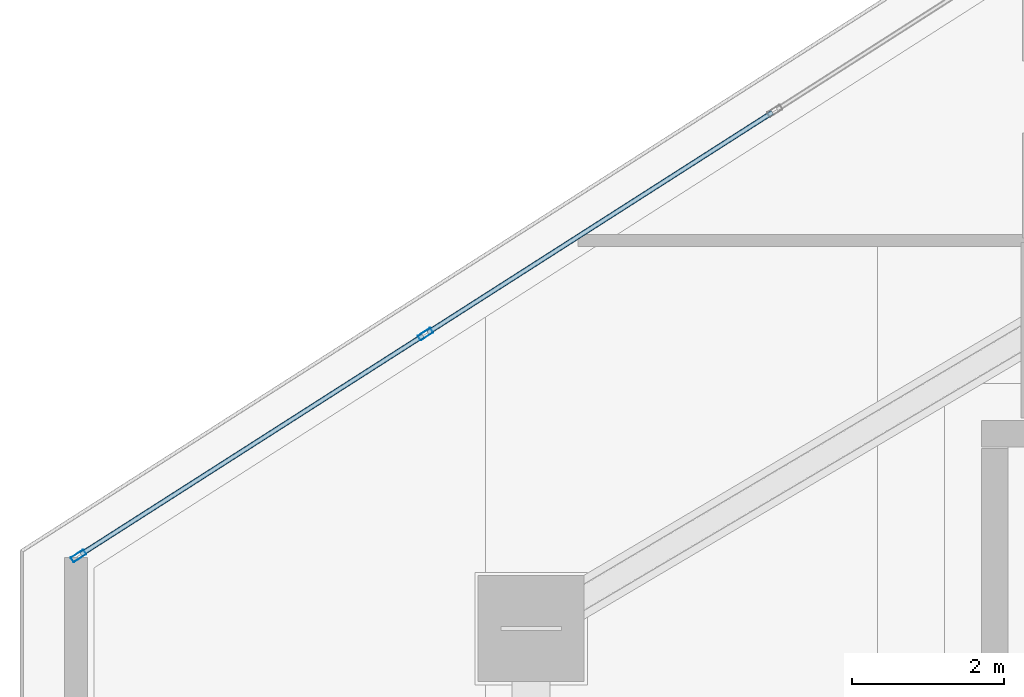
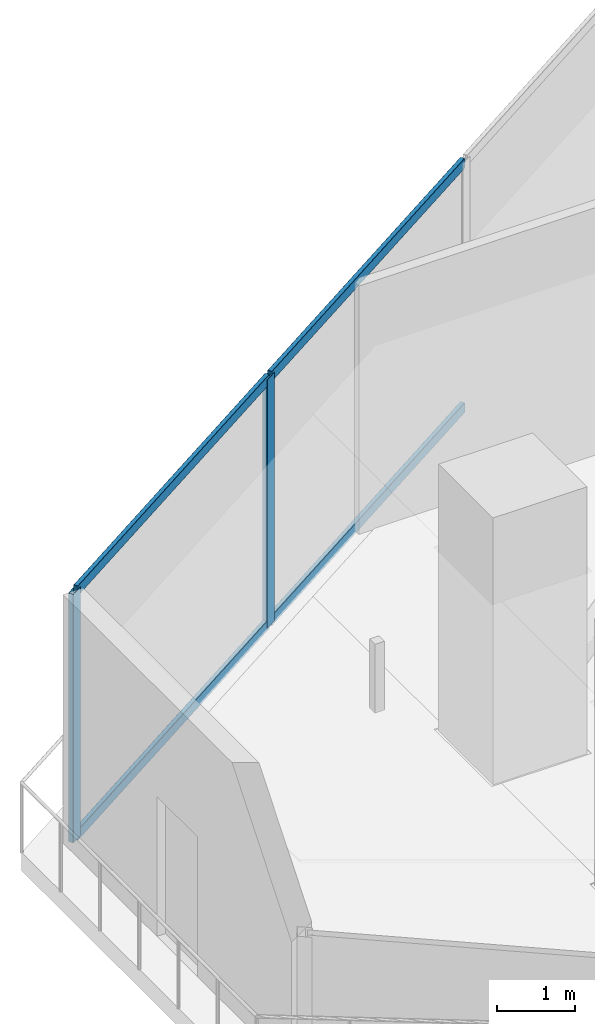
# One storey, part 7 of 30: 6 members, 1 element without a shape of its own.
"""IFC4 building model written with IfcOpenShell, lengths in metres."""

from ifc_helpers import new_model, si_unit, direction, frame, origin, origin_2d, place, context, subcontext, project, spatial, hollow_rectangle, extrude, material, layer, layer_set, material_profile, profile_set, type_object, element, aggregate, save


model = new_model("IFC4")

# Units and contexts
model_context = context("Model", 3, precision=1e-05, world=origin(), true_north=direction((0.0, 1.0)))
body_context = subcontext(model_context, "Body", "Model", "MODEL_VIEW")
ifc_project = project(units=[si_unit("LENGTHUNIT", "METRE"), si_unit("AREAUNIT", "SQUARE_METRE"), si_unit("VOLUMEUNIT", "CUBIC_METRE"), si_unit("PLANEANGLEUNIT", "RADIAN"), si_unit("MASSUNIT", "GRAM", prefix="KILO")], contexts=[model_context])

# Site, building, storey
site_placement = place(None, origin())
site = spatial("IfcSite", under=ifc_project, at=site_placement, CompositionType="ELEMENT")
building_placement = place(site_placement, origin())
building = spatial("IfcBuilding", under=site, at=building_placement, Name="Qorvath Tower", CompositionType="ELEMENT")
storey_placement = place(building_placement, frame((0.0, 0.0, 289.199951171875)))
storey = spatial("IfcBuildingStorey", under=building, at=storey_placement, Name="L67", CompositionType="ELEMENT", Elevation=289.199951171875)

# Curtain wall, members
ifc_material_1 = material(Name="Anodised aluminium and triple low-E glass", Category="aluminium")
ifc_layer = layer(ifc_material_1, 0.179931640625)
ifc_layer_set = layer_set([ifc_layer], Name="CW-SYS-5")
curtain_wall_type = type_object("IfcCurtainWallType", Name="CW-SYS-5", PredefinedType="NOTDEFINED", material=ifc_layer_set)
curtain_wall_placement = place(storey_placement, origin())
curtain_wall = element("IfcCurtainWall", 1, at=curtain_wall_placement, inside=storey, type_object=curtain_wall_type, Name="Curtain Wall CW-5 CW-T-L67-16.1", PredefinedType="NOTDEFINED")
ifc_material_2 = material(Name="Anodised aluminium 6063-T6", Category="aluminium")
ifc_material_profile_1 = material_profile(ifc_material_2, hollow_rectangle(XDim=0.074951171875, YDim=0.199951171875, WallThickness=0.00390625, InnerFilletRadius=0.00390625, OuterFilletRadius=0.008056640625, at=origin_2d()), Name="CWM 200x75")
ifc_profile_set_1 = profile_set([ifc_material_profile_1], Name="Anodised aluminium 6063-T6")
member_type_1 = type_object("IfcMemberType", Name="CWM-200", PredefinedType="MULLION", material=ifc_profile_set_1)
member_1_placement = place(storey_placement, frame((-45.7978515625, 5.891357421875, 0.0), z_axis=(0.0, 0.0, 1.0), x_axis=(0.538536873294, -0.842601944042, 0.0)))
member_1 = element("IfcMember", 2, at=member_1_placement, type_object=member_type_1, Name="CW-5 mullion 7", PredefinedType="MULLION", context=body_context, shape_type="SweptSolid", body=[
    extrude(hollow_rectangle(XDim=0.074951171875, YDim=0.199951171875, WallThickness=0.00390625, InnerFilletRadius=0.00390625, OuterFilletRadius=0.008056640625, at=origin_2d()), origin(), (0.0, 0.0, 1.0), 3.91015625),
])
member_2_placement = place(storey_placement, frame((-50.375, 2.9658203125, 0.0), z_axis=(0.0, 0.0, 1.0), x_axis=(0.538536873294, -0.842601944042, 0.0)))
member_2 = element("IfcMember", 3, at=member_2_placement, type_object=member_type_1, Name="CW-5 mullion 8", PredefinedType="MULLION", context=body_context, shape_type="SweptSolid", body=[
    extrude(hollow_rectangle(XDim=0.074951171875, YDim=0.199951171875, WallThickness=0.00390625, InnerFilletRadius=0.00390625, OuterFilletRadius=0.008056640625, at=origin_2d()), origin(), (0.0, 0.0, 1.0), 3.91015625),
])
ifc_material_3 = material(Name="Anodised aluminium 6063-T6", Category="aluminium")
ifc_material_profile_2 = material_profile(ifc_material_3, hollow_rectangle(XDim=0.06494140625, YDim=0.159912109375, WallThickness=0.00341796875, InnerFilletRadius=0.00341796875, OuterFilletRadius=0.007080078125, at=origin_2d()), Name="CWT 160x65")
ifc_profile_set_2 = profile_set([ifc_material_profile_2], Name="Anodised aluminium 6063-T6")
member_type_2 = type_object("IfcMemberType", Name="CWT-160", PredefinedType="USERDEFINED", material=ifc_profile_set_2)
member_3_placement = place(storey_placement, frame((-41.220703125, 8.816650390625, 0.032470703125), z_axis=(-0.842603282272, -0.538534779475, 0.0), x_axis=(0.538534779475, -0.842603282272, 0.0)))
member_3 = element("IfcMember", 4, at=member_3_placement, type_object=member_type_2, Name="CW-5 transom 6.1", ObjectType="TRANSOM", PredefinedType="USERDEFINED", context=body_context, shape_type="SweptSolid", body=[
    extrude(hollow_rectangle(XDim=0.06494140625, YDim=0.159912109375, WallThickness=0.00341796875, InnerFilletRadius=0.00341796875, OuterFilletRadius=0.007080078125, at=origin_2d()), origin(), (0.0, 0.0, 1.0), 5.394775390625),
])
member_4_placement = place(storey_placement, frame((-41.220703125, 8.816650390625, 3.877685546875), z_axis=(-0.842603282272, -0.538534779475, 0.0), x_axis=(0.538534779475, -0.842603282272, 0.0)))
member_4 = element("IfcMember", 5, at=member_4_placement, type_object=member_type_2, Name="CW-5 transom 6.2", ObjectType="TRANSOM", PredefinedType="USERDEFINED", context=body_context, shape_type="SweptSolid", body=[
    extrude(hollow_rectangle(XDim=0.06494140625, YDim=0.159912109375, WallThickness=0.00341796875, InnerFilletRadius=0.00341796875, OuterFilletRadius=0.007080078125, at=origin_2d()), origin(), (0.0, 0.0, 1.0), 5.394775390625),
])
member_5_placement = place(storey_placement, frame((-45.82958984375, 5.87109375, 0.032470703125), z_axis=(-0.842601479632, -0.538537599914, 0.0), x_axis=(0.538537599914, -0.842601479632, 0.0)))
member_5 = element("IfcMember", 6, at=member_5_placement, type_object=member_type_2, Name="CW-5 transom 7.1", ObjectType="TRANSOM", PredefinedType="USERDEFINED", context=body_context, shape_type="SweptSolid", body=[
    extrude(hollow_rectangle(XDim=0.06494140625, YDim=0.159912109375, WallThickness=0.00341796875, InnerFilletRadius=0.00341796875, OuterFilletRadius=0.007080078125, at=origin_2d()), origin(), (0.0, 0.0, 1.0), 5.357177734375),
])
member_6_placement = place(storey_placement, frame((-45.82958984375, 5.87109375, 3.877685546875), z_axis=(-0.842601479632, -0.538537599914, 0.0), x_axis=(0.538537599914, -0.842601479632, 0.0)))
member_6 = element("IfcMember", 7, at=member_6_placement, type_object=member_type_2, Name="CW-5 transom 7.2", ObjectType="TRANSOM", PredefinedType="USERDEFINED", context=body_context, shape_type="SweptSolid", body=[
    extrude(hollow_rectangle(XDim=0.06494140625, YDim=0.159912109375, WallThickness=0.00341796875, InnerFilletRadius=0.00341796875, OuterFilletRadius=0.007080078125, at=origin_2d()), origin(), (0.0, 0.0, 1.0), 5.357177734375),
])
aggregate(curtain_wall, [member_1, member_2, member_3, member_4, member_5, member_6])

save(model, "model.ifc")
